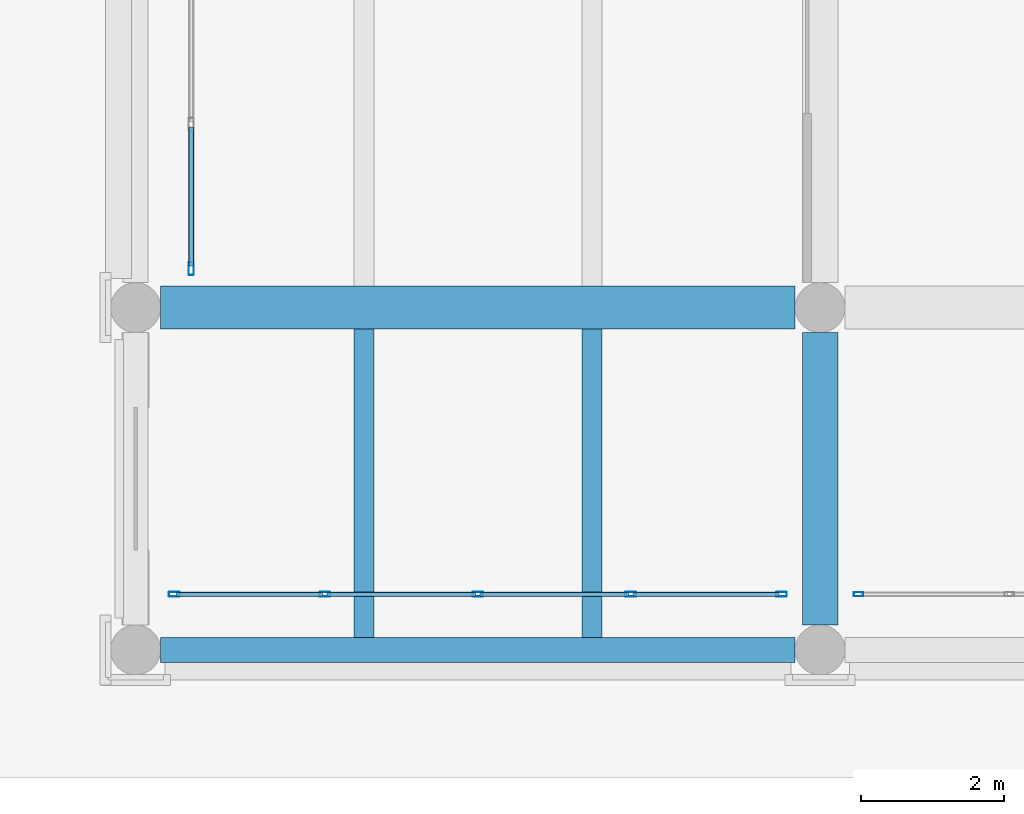
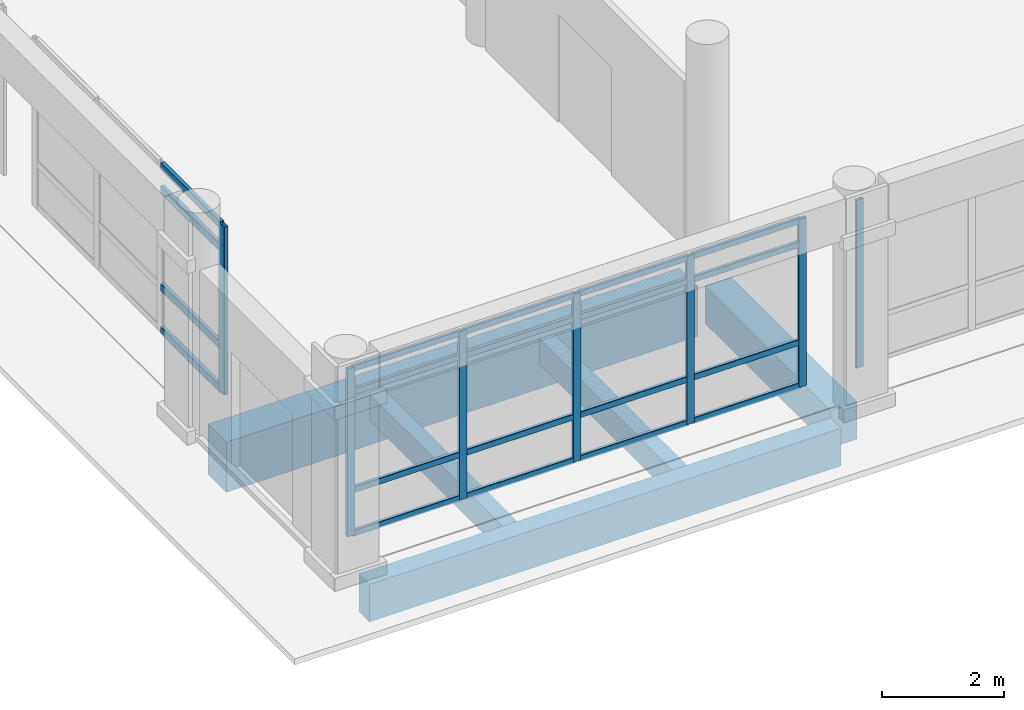
# One storey, part 21 of 196: 27 members, 5 beams, 3 elements without a shape of their own.
"""IFC4 building model written with IfcOpenShell, lengths in metres."""

from ifc_helpers import new_model, si_unit, direction, frame, origin, origin_2d, place, context, subcontext, project, spatial, rectangle, hollow_rectangle, extrude, material, layer, layer_set, material_profile, profile_set, type_object, element, aggregate, save


model = new_model("IFC4")

# Units and contexts
model_context = context("Model", 3, precision=1e-05, world=origin(), true_north=direction((0.0, 1.0)))
body_context = subcontext(model_context, "Body", "Model", "MODEL_VIEW")
ifc_project = project(units=[si_unit("LENGTHUNIT", "METRE"), si_unit("AREAUNIT", "SQUARE_METRE"), si_unit("VOLUMEUNIT", "CUBIC_METRE"), si_unit("PLANEANGLEUNIT", "RADIAN"), si_unit("MASSUNIT", "GRAM", prefix="KILO")], contexts=[model_context])

# Site, building, storey
site_placement = place(None, origin())
site = spatial("IfcSite", under=ifc_project, at=site_placement, CompositionType="ELEMENT")
building_placement = place(site_placement, origin())
building = spatial("IfcBuilding", under=site, at=building_placement, Name="Asteropetra Specialist Clinic", CompositionType="ELEMENT")
storey_placement = place(building_placement, origin())
storey = spatial("IfcBuildingStorey", under=building, at=storey_placement, Name="L00", CompositionType="ELEMENT", Elevation=0.0)

# Beams
ifc_material_1 = material(Name="Concrete C35/45", Category="concrete")
ifc_material_profile_1 = material_profile(ifc_material_1, rectangle(XDim=0.5, YDim=0.75, at=origin_2d()), Name="RCB 500x750")
ifc_profile_set_1 = profile_set([ifc_material_profile_1], Name="Concrete C35/45")
beam_type_1 = type_object("IfcBeamType", Name="BM-RC500x750", PredefinedType="BEAM", material=ifc_profile_set_1)
beam_1_placement = place(storey_placement, frame((9.60009765625, 0.35009765625, -0.715087890625), z_axis=(0.0, 1.0, 0.0), x_axis=(-1.0, 0.0, 0.0)))
element("IfcBeam", 1, at=beam_1_placement, inside=storey, type_object=beam_type_1, Name="Beam BBM04-0032", PredefinedType="BEAM", context=body_context, shape_type="SweptSolid", body=[
    extrude(rectangle(XDim=0.5, YDim=0.75, at=origin_2d()), origin(), (0.0, 0.0, 1.0), 4.099853515625),
])
ifc_material_2 = material(Name="Concrete C35/45", Category="concrete")
ifc_material_profile_2 = material_profile(ifc_material_2, rectangle(XDim=0.60009765625, YDim=1.0, at=origin_2d()), Name="RCB 600x1000")
ifc_profile_set_2 = profile_set([ifc_material_profile_2], Name="Concrete C35/45")
beam_type_2 = type_object("IfcBeamType", Name="BM-RC600x1000", PredefinedType="BEAM", material=ifc_profile_set_2)
beam_2_placement = place(storey_placement, frame((0.35009765625, 4.800048828125, -0.840087890625), z_axis=(1.0, 0.0, 0.0), x_axis=(0.0, 1.0, 0.0)))
element("IfcBeam", 2, at=beam_2_placement, inside=storey, type_object=beam_type_2, Name="Beam BBM01-0007", PredefinedType="BEAM", context=body_context, shape_type="SweptSolid", body=[
    extrude(rectangle(XDim=0.60009765625, YDim=1.0, at=origin_2d()), origin(), (0.0, 0.0, 1.0), 8.89990234375),
])

# Curtain wall, member
ifc_material_3 = material(Name="Aluminium and low-E glass", Category="aluminium")
ifc_layer_1 = layer(ifc_material_3, 0.179931640625)
ifc_layer_set_1 = layer_set([ifc_layer_1], Name="Aluminium and low-E glass")
curtain_wall_type_1 = type_object("IfcCurtainWallType", Name="CW-SYS-10", PredefinedType="USERDEFINED", material=ifc_layer_set_1)
curtain_wall_1_placement = place(storey_placement, origin())
curtain_wall_1 = element("IfcCurtainWall", 3, at=curtain_wall_1_placement, inside=storey, type_object=curtain_wall_type_1, Name="Curtain Wall CW-122", ObjectType="STICK GLAZED COLONNADE", PredefinedType="USERDEFINED")
ifc_material_4 = material(Name="Aluminium 6063-T6", Category="aluminium")
ifc_material_profile_3 = material_profile(ifc_material_4, hollow_rectangle(XDim=0.06005859375, YDim=0.135009765625, WallThickness=0.00341796875, InnerFilletRadius=0.00341796875, OuterFilletRadius=0.007080078125, at=origin_2d()), Name="MUL 135x60x3.5")
ifc_profile_set_3 = profile_set([ifc_material_profile_3], Name="Aluminium 6063-T6")
member_type_1 = type_object("IfcMemberType", Name="CWM-135x60", PredefinedType="MULLION", material=ifc_profile_set_3)
member_1_placement = place(storey_placement, frame((10.139892578125, 0.780029296875, 0.0), z_axis=(0.0, 0.0, 1.0), x_axis=(0.0, 1.0, 0.0)))
member_1 = element("IfcMember", 4, at=member_1_placement, type_object=member_type_1, Name="CW-122 mullion 1", PredefinedType="MULLION", context=body_context, shape_type="SweptSolid", body=[
    extrude(hollow_rectangle(XDim=0.06005859375, YDim=0.135009765625, WallThickness=0.00341796875, InnerFilletRadius=0.00341796875, OuterFilletRadius=0.007080078125, at=origin_2d()), origin(), (0.0, 0.0, 1.0), 3.35009765625),
])
aggregate(curtain_wall_1, [member_1])

# Curtain wall, members
ifc_material_5 = material(Name="Aluminium and low-E glass", Category="aluminium")
ifc_layer_2 = layer(ifc_material_5, 0.135009765625)
ifc_layer_set_2 = layer_set([ifc_layer_2], Name="Aluminium and low-E glass")
curtain_wall_type_2 = type_object("IfcCurtainWallType", Name="CW-SYS-09", PredefinedType="USERDEFINED", material=ifc_layer_set_2)
curtain_wall_2_placement = place(storey_placement, origin())
curtain_wall_2 = element("IfcCurtainWall", 5, at=curtain_wall_2_placement, inside=storey, type_object=curtain_wall_type_2, Name="Curtain Wall CW-121", ObjectType="STICK GLAZED COLONNADE", PredefinedType="USERDEFINED")
ifc_material_6 = material(Name="Aluminium 6063-T6", Category="aluminium")
ifc_material_profile_4 = material_profile(ifc_material_6, hollow_rectangle(XDim=0.06494140625, YDim=0.14990234375, WallThickness=0.00390625, InnerFilletRadius=0.00390625, OuterFilletRadius=0.008056640625, at=origin_2d()), Name="MUL 150x65x4.0")
ifc_profile_set_4 = profile_set([ifc_material_profile_4], Name="Aluminium 6063-T6")
member_type_2 = type_object("IfcMemberType", Name="CWM-150x65", PredefinedType="MULLION", material=ifc_profile_set_4)
member_2_placement = place(storey_placement, frame((0.54248046875, 0.780029296875, 0.0), z_axis=(0.0, 0.0, 1.0), x_axis=(0.0, 1.0, 0.0)))
member_2 = element("IfcMember", 6, at=member_2_placement, type_object=member_type_2, Name="CW-121 mullion 1", PredefinedType="MULLION", context=body_context, shape_type="SweptSolid", body=[
    extrude(hollow_rectangle(XDim=0.06494140625, YDim=0.14990234375, WallThickness=0.00390625, InnerFilletRadius=0.00390625, OuterFilletRadius=0.008056640625, at=origin_2d()), origin(), (0.0, 0.0, 1.0), 3.35009765625),
])
member_3_placement = place(storey_placement, frame((2.655029296875, 0.780029296875, 0.0), z_axis=(0.0, 0.0, 1.0), x_axis=(0.0, 1.0, 0.0)))
member_3 = element("IfcMember", 7, at=member_3_placement, type_object=member_type_2, Name="CW-121 mullion 2", PredefinedType="MULLION", context=body_context, shape_type="SweptSolid", body=[
    extrude(hollow_rectangle(XDim=0.06494140625, YDim=0.14990234375, WallThickness=0.00390625, InnerFilletRadius=0.00390625, OuterFilletRadius=0.008056640625, at=origin_2d()), origin(), (0.0, 0.0, 1.0), 3.35009765625),
])
member_4_placement = place(storey_placement, frame((4.800048828125, 0.780029296875, 0.0), z_axis=(0.0, 0.0, 1.0), x_axis=(0.0, 1.0, 0.0)))
member_4 = element("IfcMember", 8, at=member_4_placement, type_object=member_type_2, Name="CW-121 mullion 3", PredefinedType="MULLION", context=body_context, shape_type="SweptSolid", body=[
    extrude(hollow_rectangle(XDim=0.06494140625, YDim=0.14990234375, WallThickness=0.00390625, InnerFilletRadius=0.00390625, OuterFilletRadius=0.008056640625, at=origin_2d()), origin(), (0.0, 0.0, 1.0), 3.35009765625),
])
member_5_placement = place(storey_placement, frame((6.945068359375, 0.780029296875, 0.0), z_axis=(0.0, 0.0, 1.0), x_axis=(0.0, 1.0, 0.0)))
member_5 = element("IfcMember", 9, at=member_5_placement, type_object=member_type_2, Name="CW-121 mullion 4", PredefinedType="MULLION", context=body_context, shape_type="SweptSolid", body=[
    extrude(hollow_rectangle(XDim=0.06494140625, YDim=0.14990234375, WallThickness=0.00390625, InnerFilletRadius=0.00390625, OuterFilletRadius=0.008056640625, at=origin_2d()), origin(), (0.0, 0.0, 1.0), 3.35009765625),
])
member_6_placement = place(storey_placement, frame((9.0576171875, 0.780029296875, 0.0), z_axis=(0.0, 0.0, 1.0), x_axis=(0.0, 1.0, 0.0)))
member_6 = element("IfcMember", 10, at=member_6_placement, type_object=member_type_2, Name="CW-121 mullion 5", PredefinedType="MULLION", context=body_context, shape_type="SweptSolid", body=[
    extrude(hollow_rectangle(XDim=0.06494140625, YDim=0.14990234375, WallThickness=0.00390625, InnerFilletRadius=0.00390625, OuterFilletRadius=0.008056640625, at=origin_2d()), origin(), (0.0, 0.0, 1.0), 3.35009765625),
])

# Curtain wall, member
curtain_wall_3_placement = place(storey_placement, origin())
curtain_wall_3 = element("IfcCurtainWall", 11, at=curtain_wall_3_placement, inside=storey, type_object=curtain_wall_type_1, Name="Curtain Wall CW-129", ObjectType="STICK GLAZED COLONNADE", PredefinedType="USERDEFINED")
ifc_material_7 = material(Name="Aluminium 6063-T6", Category="aluminium")
ifc_material_profile_5 = material_profile(ifc_material_7, hollow_rectangle(XDim=0.074951171875, YDim=0.179931640625, WallThickness=0.00390625, InnerFilletRadius=0.00390625, OuterFilletRadius=0.008056640625, at=origin_2d()), Name="MUL 180x75x4.0")
ifc_profile_set_5 = profile_set([ifc_material_profile_5], Name="Aluminium 6063-T6")
member_type_3 = type_object("IfcMemberType", Name="CWM-180x75", PredefinedType="MULLION", material=ifc_profile_set_5)
member_7_placement = place(storey_placement, frame((0.780029296875, 5.347412109375, 0.0), z_axis=(0.0, 0.0, 1.0), x_axis=(1.0, 0.0, 0.0)))
member_7 = element("IfcMember", 12, at=member_7_placement, type_object=member_type_3, Name="CW-129 mullion 4", PredefinedType="MULLION", context=body_context, shape_type="SweptSolid", body=[
    extrude(hollow_rectangle(XDim=0.074951171875, YDim=0.179931640625, WallThickness=0.00390625, InnerFilletRadius=0.00390625, OuterFilletRadius=0.008056640625, at=origin_2d()), origin(), (0.0, 0.0, 1.0), 3.35009765625),
])

# Member
ifc_material_8 = material(Name="Aluminium 6063-T6", Category="aluminium")
ifc_material_profile_6 = material_profile(ifc_material_8, hollow_rectangle(XDim=0.06494140625, YDim=0.1201171875, WallThickness=0.00390625, InnerFilletRadius=0.00390625, OuterFilletRadius=0.008056640625, at=origin_2d()), Name="TRN 120x65x4.0")
ifc_profile_set_6 = profile_set([ifc_material_profile_6], Name="Aluminium 6063-T6")
member_type_4 = type_object("IfcMemberType", Name="CWT-120x65", PredefinedType="USERDEFINED", material=ifc_profile_set_6)
member_8_placement = place(storey_placement, frame((0.574951171875, 0.780029296875, 0.032470703125), z_axis=(1.0, 0.0, 0.0), x_axis=(0.0, 1.0, 0.0)))
member_8 = element("IfcMember", 13, at=member_8_placement, type_object=member_type_4, Name="CW-121 transom 1.1", ObjectType="TRANSOM", PredefinedType="USERDEFINED", context=body_context, shape_type="SweptSolid", body=[
    extrude(hollow_rectangle(XDim=0.06494140625, YDim=0.1201171875, WallThickness=0.00390625, InnerFilletRadius=0.00390625, OuterFilletRadius=0.008056640625, at=origin_2d()), origin(), (0.0, 0.0, 1.0), 2.047607421875),
])

member_9_placement = place(storey_placement, frame((0.574951171875, 0.780029296875, 0.89990234375), z_axis=(1.0, 0.0, 0.0), x_axis=(0.0, 1.0, 0.0)))
member_9 = element("IfcMember", 14, at=member_9_placement, type_object=member_type_4, Name="CW-121 transom 1.2", ObjectType="TRANSOM", PredefinedType="USERDEFINED", context=body_context, shape_type="SweptSolid", body=[
    extrude(hollow_rectangle(XDim=0.06494140625, YDim=0.1201171875, WallThickness=0.00390625, InnerFilletRadius=0.00390625, OuterFilletRadius=0.008056640625, at=origin_2d()), origin(), (0.0, 0.0, 1.0), 2.047607421875),
])

member_10_placement = place(storey_placement, frame((0.574951171875, 0.780029296875, 2.85009765625), z_axis=(1.0, 0.0, 0.0), x_axis=(0.0, 1.0, 0.0)))
member_10 = element("IfcMember", 15, at=member_10_placement, type_object=member_type_4, Name="CW-121 transom 1.3", ObjectType="TRANSOM", PredefinedType="USERDEFINED", context=body_context, shape_type="SweptSolid", body=[
    extrude(hollow_rectangle(XDim=0.06494140625, YDim=0.1201171875, WallThickness=0.00390625, InnerFilletRadius=0.00390625, OuterFilletRadius=0.008056640625, at=origin_2d()), origin(), (0.0, 0.0, 1.0), 2.047607421875),
])

member_11_placement = place(storey_placement, frame((0.574951171875, 0.780029296875, 3.3173828125), z_axis=(1.0, 0.0, 0.0), x_axis=(0.0, 1.0, 0.0)))
member_11 = element("IfcMember", 16, at=member_11_placement, type_object=member_type_4, Name="CW-121 transom 1.4", ObjectType="TRANSOM", PredefinedType="USERDEFINED", context=body_context, shape_type="SweptSolid", body=[
    extrude(hollow_rectangle(XDim=0.06494140625, YDim=0.1201171875, WallThickness=0.00390625, InnerFilletRadius=0.00390625, OuterFilletRadius=0.008056640625, at=origin_2d()), origin(), (0.0, 0.0, 1.0), 2.047607421875),
])

member_12_placement = place(storey_placement, frame((2.6875, 0.780029296875, 0.032470703125), z_axis=(1.0, 0.0, 0.0), x_axis=(0.0, 1.0, 0.0)))
member_12 = element("IfcMember", 17, at=member_12_placement, type_object=member_type_4, Name="CW-121 transom 2.1", ObjectType="TRANSOM", PredefinedType="USERDEFINED", context=body_context, shape_type="SweptSolid", body=[
    extrude(hollow_rectangle(XDim=0.06494140625, YDim=0.1201171875, WallThickness=0.00390625, InnerFilletRadius=0.00390625, OuterFilletRadius=0.008056640625, at=origin_2d()), origin(), (0.0, 0.0, 1.0), 2.080078125),
])

member_13_placement = place(storey_placement, frame((2.6875, 0.780029296875, 0.89990234375), z_axis=(1.0, 0.0, 0.0), x_axis=(0.0, 1.0, 0.0)))
member_13 = element("IfcMember", 18, at=member_13_placement, type_object=member_type_4, Name="CW-121 transom 2.2", ObjectType="TRANSOM", PredefinedType="USERDEFINED", context=body_context, shape_type="SweptSolid", body=[
    extrude(hollow_rectangle(XDim=0.06494140625, YDim=0.1201171875, WallThickness=0.00390625, InnerFilletRadius=0.00390625, OuterFilletRadius=0.008056640625, at=origin_2d()), origin(), (0.0, 0.0, 1.0), 2.080078125),
])

member_14_placement = place(storey_placement, frame((2.6875, 0.780029296875, 2.85009765625), z_axis=(1.0, 0.0, 0.0), x_axis=(0.0, 1.0, 0.0)))
member_14 = element("IfcMember", 19, at=member_14_placement, type_object=member_type_4, Name="CW-121 transom 2.3", ObjectType="TRANSOM", PredefinedType="USERDEFINED", context=body_context, shape_type="SweptSolid", body=[
    extrude(hollow_rectangle(XDim=0.06494140625, YDim=0.1201171875, WallThickness=0.00390625, InnerFilletRadius=0.00390625, OuterFilletRadius=0.008056640625, at=origin_2d()), origin(), (0.0, 0.0, 1.0), 2.080078125),
])

member_15_placement = place(storey_placement, frame((2.6875, 0.780029296875, 3.3173828125), z_axis=(1.0, 0.0, 0.0), x_axis=(0.0, 1.0, 0.0)))
member_15 = element("IfcMember", 20, at=member_15_placement, type_object=member_type_4, Name="CW-121 transom 2.4", ObjectType="TRANSOM", PredefinedType="USERDEFINED", context=body_context, shape_type="SweptSolid", body=[
    extrude(hollow_rectangle(XDim=0.06494140625, YDim=0.1201171875, WallThickness=0.00390625, InnerFilletRadius=0.00390625, OuterFilletRadius=0.008056640625, at=origin_2d()), origin(), (0.0, 0.0, 1.0), 2.080078125),
])

member_16_placement = place(storey_placement, frame((4.83251953125, 0.780029296875, 0.032470703125), z_axis=(1.0, 0.0, 0.0), x_axis=(0.0, 1.0, 0.0)))
member_16 = element("IfcMember", 21, at=member_16_placement, type_object=member_type_4, Name="CW-121 transom 3.1", ObjectType="TRANSOM", PredefinedType="USERDEFINED", context=body_context, shape_type="SweptSolid", body=[
    extrude(hollow_rectangle(XDim=0.06494140625, YDim=0.1201171875, WallThickness=0.00390625, InnerFilletRadius=0.00390625, OuterFilletRadius=0.008056640625, at=origin_2d()), origin(), (0.0, 0.0, 1.0), 2.080078125),
])

member_17_placement = place(storey_placement, frame((4.83251953125, 0.780029296875, 0.89990234375), z_axis=(1.0, 0.0, 0.0), x_axis=(0.0, 1.0, 0.0)))
member_17 = element("IfcMember", 22, at=member_17_placement, type_object=member_type_4, Name="CW-121 transom 3.2", ObjectType="TRANSOM", PredefinedType="USERDEFINED", context=body_context, shape_type="SweptSolid", body=[
    extrude(hollow_rectangle(XDim=0.06494140625, YDim=0.1201171875, WallThickness=0.00390625, InnerFilletRadius=0.00390625, OuterFilletRadius=0.008056640625, at=origin_2d()), origin(), (0.0, 0.0, 1.0), 2.080078125),
])

member_18_placement = place(storey_placement, frame((4.83251953125, 0.780029296875, 2.85009765625), z_axis=(1.0, 0.0, 0.0), x_axis=(0.0, 1.0, 0.0)))
member_18 = element("IfcMember", 23, at=member_18_placement, type_object=member_type_4, Name="CW-121 transom 3.3", ObjectType="TRANSOM", PredefinedType="USERDEFINED", context=body_context, shape_type="SweptSolid", body=[
    extrude(hollow_rectangle(XDim=0.06494140625, YDim=0.1201171875, WallThickness=0.00390625, InnerFilletRadius=0.00390625, OuterFilletRadius=0.008056640625, at=origin_2d()), origin(), (0.0, 0.0, 1.0), 2.080078125),
])

member_19_placement = place(storey_placement, frame((4.83251953125, 0.780029296875, 3.3173828125), z_axis=(1.0, 0.0, 0.0), x_axis=(0.0, 1.0, 0.0)))
member_19 = element("IfcMember", 24, at=member_19_placement, type_object=member_type_4, Name="CW-121 transom 3.4", ObjectType="TRANSOM", PredefinedType="USERDEFINED", context=body_context, shape_type="SweptSolid", body=[
    extrude(hollow_rectangle(XDim=0.06494140625, YDim=0.1201171875, WallThickness=0.00390625, InnerFilletRadius=0.00390625, OuterFilletRadius=0.008056640625, at=origin_2d()), origin(), (0.0, 0.0, 1.0), 2.080078125),
])

member_20_placement = place(storey_placement, frame((6.9775390625, 0.780029296875, 0.032470703125), z_axis=(1.0, 0.0, 0.0), x_axis=(0.0, 1.0, 0.0)))
member_20 = element("IfcMember", 25, at=member_20_placement, type_object=member_type_4, Name="CW-121 transom 4.1", ObjectType="TRANSOM", PredefinedType="USERDEFINED", context=body_context, shape_type="SweptSolid", body=[
    extrude(hollow_rectangle(XDim=0.06494140625, YDim=0.1201171875, WallThickness=0.00390625, InnerFilletRadius=0.00390625, OuterFilletRadius=0.008056640625, at=origin_2d()), origin(), (0.0, 0.0, 1.0), 2.04736328125),
])

member_21_placement = place(storey_placement, frame((6.9775390625, 0.780029296875, 0.89990234375), z_axis=(1.0, 0.0, 0.0), x_axis=(0.0, 1.0, 0.0)))
member_21 = element("IfcMember", 26, at=member_21_placement, type_object=member_type_4, Name="CW-121 transom 4.2", ObjectType="TRANSOM", PredefinedType="USERDEFINED", context=body_context, shape_type="SweptSolid", body=[
    extrude(hollow_rectangle(XDim=0.06494140625, YDim=0.1201171875, WallThickness=0.00390625, InnerFilletRadius=0.00390625, OuterFilletRadius=0.008056640625, at=origin_2d()), origin(), (0.0, 0.0, 1.0), 2.04736328125),
])

member_22_placement = place(storey_placement, frame((6.9775390625, 0.780029296875, 2.85009765625), z_axis=(1.0, 0.0, 0.0), x_axis=(0.0, 1.0, 0.0)))
member_22 = element("IfcMember", 27, at=member_22_placement, type_object=member_type_4, Name="CW-121 transom 4.3", ObjectType="TRANSOM", PredefinedType="USERDEFINED", context=body_context, shape_type="SweptSolid", body=[
    extrude(hollow_rectangle(XDim=0.06494140625, YDim=0.1201171875, WallThickness=0.00390625, InnerFilletRadius=0.00390625, OuterFilletRadius=0.008056640625, at=origin_2d()), origin(), (0.0, 0.0, 1.0), 2.04736328125),
])

member_23_placement = place(storey_placement, frame((6.9775390625, 0.780029296875, 3.3173828125), z_axis=(1.0, 0.0, 0.0), x_axis=(0.0, 1.0, 0.0)))
member_23 = element("IfcMember", 28, at=member_23_placement, type_object=member_type_4, Name="CW-121 transom 4.4", ObjectType="TRANSOM", PredefinedType="USERDEFINED", context=body_context, shape_type="SweptSolid", body=[
    extrude(hollow_rectangle(XDim=0.06494140625, YDim=0.1201171875, WallThickness=0.00390625, InnerFilletRadius=0.00390625, OuterFilletRadius=0.008056640625, at=origin_2d()), origin(), (0.0, 0.0, 1.0), 2.04736328125),
])

aggregate(curtain_wall_2, [member_2, member_3, member_4, member_5, member_6, member_8, member_9, member_10, member_11, member_12, member_13, member_14, member_15, member_16, member_17, member_18, member_19, member_20, member_21, member_22, member_23])

ifc_material_9 = material(Name="Aluminium 6063-T6", Category="aluminium")
ifc_material_profile_7 = material_profile(ifc_material_9, hollow_rectangle(XDim=0.074951171875, YDim=0.14990234375, WallThickness=0.00390625, InnerFilletRadius=0.00390625, OuterFilletRadius=0.008056640625, at=origin_2d()), Name="TRN 150x75x4.0")
ifc_profile_set_7 = profile_set([ifc_material_profile_7], Name="Aluminium 6063-T6")
member_type_5 = type_object("IfcMemberType", Name="CWT-150x75", PredefinedType="USERDEFINED", material=ifc_profile_set_7)
member_24_placement = place(storey_placement, frame((0.780029296875, 7.33251953125, 0.03759765625), z_axis=(0.0, -1.0, 0.0), x_axis=(1.0, 0.0, 0.0)))
member_24 = element("IfcMember", 29, at=member_24_placement, type_object=member_type_5, Name="CW-129 transom 3.1", ObjectType="TRANSOM", PredefinedType="USERDEFINED", context=body_context, shape_type="SweptSolid", body=[
    extrude(hollow_rectangle(XDim=0.074951171875, YDim=0.14990234375, WallThickness=0.00390625, InnerFilletRadius=0.00390625, OuterFilletRadius=0.008056640625, at=origin_2d()), origin(), (0.0, 0.0, 1.0), 1.947509765625),
])

member_25_placement = place(storey_placement, frame((0.780029296875, 7.33251953125, 0.89990234375), z_axis=(0.0, -1.0, 0.0), x_axis=(1.0, 0.0, 0.0)))
member_25 = element("IfcMember", 30, at=member_25_placement, type_object=member_type_5, Name="CW-129 transom 3.2", ObjectType="TRANSOM", PredefinedType="USERDEFINED", context=body_context, shape_type="SweptSolid", body=[
    extrude(hollow_rectangle(XDim=0.074951171875, YDim=0.14990234375, WallThickness=0.00390625, InnerFilletRadius=0.00390625, OuterFilletRadius=0.008056640625, at=origin_2d()), origin(), (0.0, 0.0, 1.0), 1.947509765625),
])

member_26_placement = place(storey_placement, frame((0.780029296875, 7.33251953125, 2.85009765625), z_axis=(0.0, -1.0, 0.0), x_axis=(1.0, 0.0, 0.0)))
member_26 = element("IfcMember", 31, at=member_26_placement, type_object=member_type_5, Name="CW-129 transom 3.3", ObjectType="TRANSOM", PredefinedType="USERDEFINED", context=body_context, shape_type="SweptSolid", body=[
    extrude(hollow_rectangle(XDim=0.074951171875, YDim=0.14990234375, WallThickness=0.00390625, InnerFilletRadius=0.00390625, OuterFilletRadius=0.008056640625, at=origin_2d()), origin(), (0.0, 0.0, 1.0), 1.947509765625),
])

member_27_placement = place(storey_placement, frame((0.780029296875, 7.33251953125, 3.3125), z_axis=(0.0, -1.0, 0.0), x_axis=(1.0, 0.0, 0.0)))
member_27 = element("IfcMember", 32, at=member_27_placement, type_object=member_type_5, Name="CW-129 transom 3.4", ObjectType="TRANSOM", PredefinedType="USERDEFINED", context=body_context, shape_type="SweptSolid", body=[
    extrude(hollow_rectangle(XDim=0.074951171875, YDim=0.14990234375, WallThickness=0.00390625, InnerFilletRadius=0.00390625, OuterFilletRadius=0.008056640625, at=origin_2d()), origin(), (0.0, 0.0, 1.0), 1.947509765625),
])

aggregate(curtain_wall_3, [member_7, member_24, member_25, member_26, member_27])

# Beams
ifc_material_10 = material(Name="Concrete C35/45", Category="concrete")
ifc_material_profile_8 = material_profile(ifc_material_10, rectangle(XDim=0.280029296875, YDim=0.52001953125, at=origin_2d()), Name="RCJ 280x520")
ifc_profile_set_8 = profile_set([ifc_material_profile_8], Name="Concrete C35/45")
beam_type_3 = type_object("IfcBeamType", Name="JST-RC280x520", PredefinedType="JOIST", material=ifc_profile_set_8)
for number, where, z_axis, x_axis, name in (
    (33, (3.199951171875, 0.175048828125, -0.60009765625), (0.0, 1.0, 0.0), (-1.0, 0.0, 0.0), "Joist JJST01-0038"),
    (34, (6.39990234375, 0.175048828125, -0.60009765625), (0.0, 1.0, 0.0), (-1.0, 0.0, 0.0), "Joist JJST01-0039"),
):
    element("IfcBeam", number, at=place(storey_placement, frame(where, z_axis=z_axis, x_axis=x_axis)), inside=storey, type_object=beam_type_3, Name=name, PredefinedType="JOIST", context=body_context, shape_type="SweptSolid", body=[
        extrude(rectangle(XDim=0.280029296875, YDim=0.52001953125, at=origin_2d()), origin(), (0.0, 0.0, 1.0), 4.324951171875),
    ])
ifc_material_11 = material(Name="Concrete C35/45", Category="concrete")
ifc_material_profile_9 = material_profile(ifc_material_11, rectangle(XDim=0.35009765625, YDim=0.75, at=origin_2d()), Name="RCS 350x750")
ifc_profile_set_9 = profile_set([ifc_material_profile_9], Name="Concrete C35/45")
beam_type_4 = type_object("IfcBeamType", Name="SPN-RC350x750", PredefinedType="SPANDREL", material=ifc_profile_set_9)
beam_3_placement = place(storey_placement, frame((0.35009765625, 0.0, -0.715087890625), z_axis=(1.0, 0.0, 0.0), x_axis=(0.0, 1.0, 0.0)))
element("IfcBeam", 35, at=beam_3_placement, inside=storey, type_object=beam_type_4, Name="Beam BSPN01-0001", PredefinedType="SPANDREL", context=body_context, shape_type="SweptSolid", body=[
    extrude(rectangle(XDim=0.35009765625, YDim=0.75, at=origin_2d()), origin(), (0.0, 0.0, 1.0), 8.89990234375),
])

save(model, "model.ifc")
